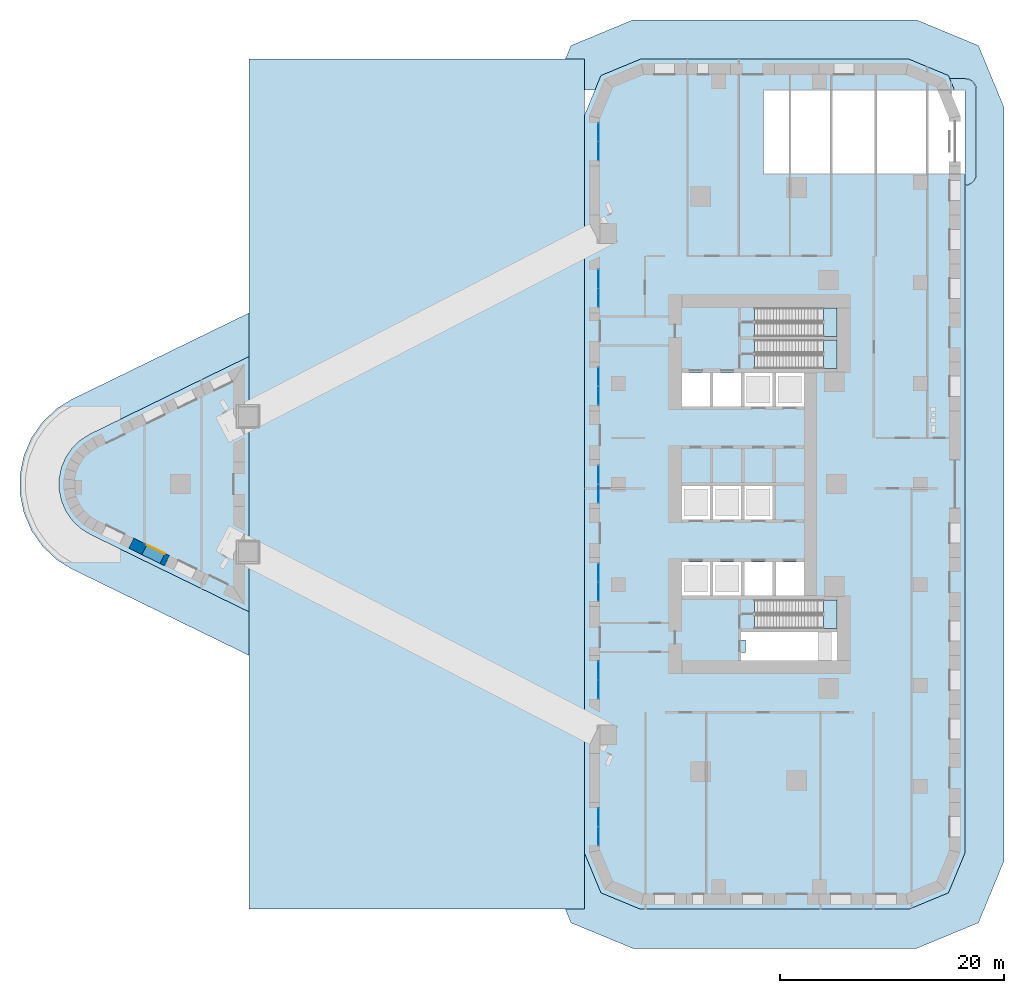
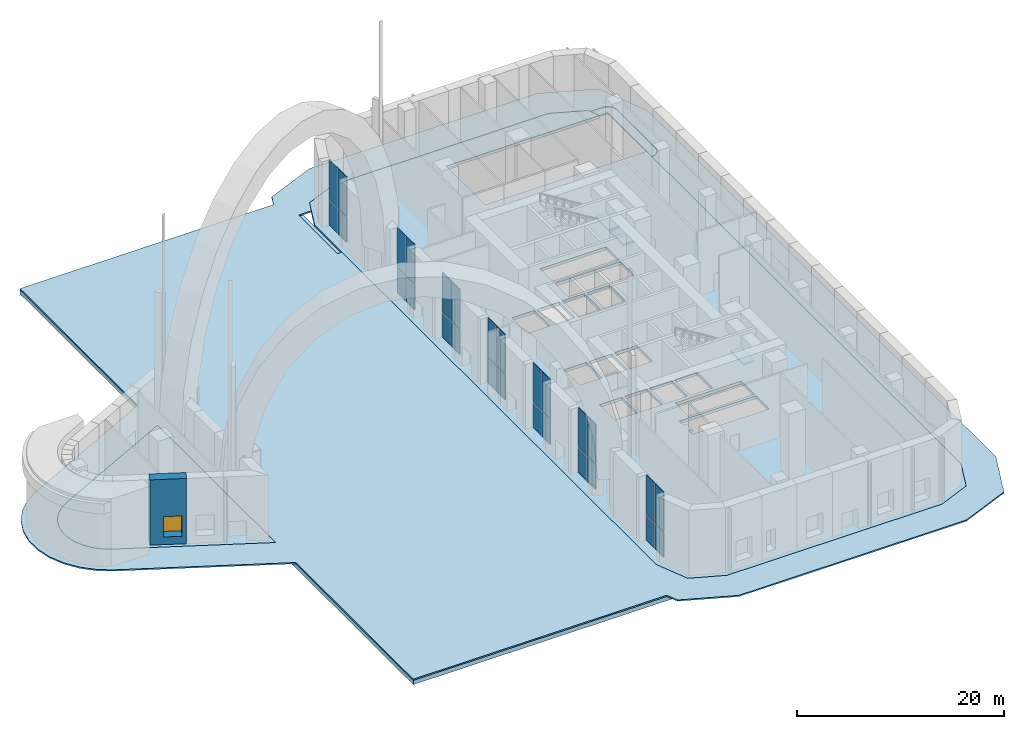
# One storey, part 8 of 22: 28 plates, 8 slabs, 1 wall, 1 window, 2 openings, 10 elements without a shape of their own.
"""IFC4 building model written with IfcOpenShell, lengths in metres."""

from ifc_helpers import new_model, si_unit, direction, frame, frame_2d, origin, origin_2d, place, context, subcontext, project, spatial, polyline, rectangle, outline, extrude, material, layer, layer_set, type_object, element, fill, aggregate, save


model = new_model("IFC4")

# Units and contexts
model_context = context("Model", 3, precision=1e-05, world=origin(), true_north=direction((0.0, 1.0)))
body_context = subcontext(model_context, "Body", "Model", "MODEL_VIEW")
ifc_project = project(units=[si_unit("LENGTHUNIT", "METRE"), si_unit("AREAUNIT", "SQUARE_METRE"), si_unit("VOLUMEUNIT", "CUBIC_METRE"), si_unit("PLANEANGLEUNIT", "RADIAN"), si_unit("MASSUNIT", "GRAM", prefix="KILO")], contexts=[model_context])

# Site, building, storey
site_placement = place(None, origin())
site = spatial("IfcSite", under=ifc_project, at=site_placement, CompositionType="ELEMENT")
building_placement = place(site_placement, origin())
building = spatial("IfcBuilding", under=site, at=building_placement, Name="Ostrand Prow Hotel Tower", CompositionType="ELEMENT")
storey_placement = place(building_placement, origin())
storey = spatial("IfcBuildingStorey", under=building, at=storey_placement, Name="L00", CompositionType="ELEMENT", Elevation=0.0)

# Curtain wall, plates
ifc_material_1 = material(Name="Insulated glass in bronze anodised frame", Category="glass")
ifc_layer_1 = layer(ifc_material_1, 0.199951171875)
ifc_layer_set_1 = layer_set([ifc_layer_1], Name="Insulated glass in bronze anodised frame")
curtain_wall_type = type_object("IfcCurtainWallType", Name="Podium storefront curtain wall, clear glass in bronze frame", PredefinedType="NOTDEFINED", material=ifc_layer_set_1)
curtain_wall_1_placement = place(storey_placement, origin())
curtain_wall_1 = element("IfcCurtainWall", 1, at=curtain_wall_1_placement, inside=storey, type_object=curtain_wall_type, Name="CW8 run CWS", PredefinedType="NOTDEFINED")
ifc_material_2 = material(Name="Low-iron clear glass", Category="glass")
ifc_layer_2 = layer(ifc_material_2, 0.031982421875)
ifc_layer_set_2 = layer_set([ifc_layer_2], Name="Low-iron clear glass")
plate_type = type_object("IfcPlateType", Name="Clear glass unit 32 mm", PredefinedType="CURTAIN_PANEL", material=ifc_layer_set_2)
plate_1_placement = place(storey_placement, frame((43.25, 31.476806640625, 0.0), z_axis=(0.0, 0.0, 1.0), x_axis=(0.0, -1.0, 0.0)))
plate_1 = element("IfcPlate", 2, at=plate_1_placement, type_object=plate_type, Name="CW8 PN-C panel 1.1", PredefinedType="CURTAIN_PANEL", context=body_context, shape_type="SweptSolid", body=[
    extrude(rectangle(XDim=1.628173828125, YDim=0.031982421875, at=origin_2d()), origin(), (0.0, 0.0, 1.0), 2.93994140625),
])
plate_2_placement = place(storey_placement, frame((43.25, 31.476806640625, 3.06005859375), z_axis=(0.0, 0.0, 1.0), x_axis=(0.0, -1.0, 0.0)))
plate_2 = element("IfcPlate", 3, at=plate_2_placement, type_object=plate_type, Name="CW8 PN-C panel 1.2", PredefinedType="CURTAIN_PANEL", context=body_context, shape_type="SweptSolid", body=[
    extrude(rectangle(XDim=1.628173828125, YDim=0.031982421875, at=origin_2d()), origin(), (0.0, 0.0, 1.0), 4.639892578125),
])
plate_3_placement = place(storey_placement, frame((43.25, 29.788818359375, 0.0), z_axis=(0.0, 0.0, 1.0), x_axis=(0.0, -1.0, 0.0)))
plate_3 = element("IfcPlate", 4, at=plate_3_placement, type_object=plate_type, Name="CW8 PN-C panel 2.1", PredefinedType="CURTAIN_PANEL", context=body_context, shape_type="SweptSolid", body=[
    extrude(rectangle(XDim=1.628173828125, YDim=0.031982421875, at=origin_2d()), origin(), (0.0, 0.0, 1.0), 2.93994140625),
])
plate_4_placement = place(storey_placement, frame((43.25, 29.788818359375, 3.06005859375), z_axis=(0.0, 0.0, 1.0), x_axis=(0.0, -1.0, 0.0)))
plate_4 = element("IfcPlate", 5, at=plate_4_placement, type_object=plate_type, Name="CW8 PN-C panel 2.2", PredefinedType="CURTAIN_PANEL", context=body_context, shape_type="SweptSolid", body=[
    extrude(rectangle(XDim=1.628173828125, YDim=0.031982421875, at=origin_2d()), origin(), (0.0, 0.0, 1.0), 4.639892578125),
])
aggregate(curtain_wall_1, [plate_1, plate_2, plate_3, plate_4])

curtain_wall_2_placement = place(storey_placement, origin())
curtain_wall_2 = element("IfcCurtainWall", 6, at=curtain_wall_2_placement, inside=storey, type_object=curtain_wall_type, Name="CW8 run CWS", PredefinedType="NOTDEFINED")
plate_5_placement = place(storey_placement, frame((43.25, 18.3486328125, 0.0), z_axis=(0.0, 0.0, 1.0), x_axis=(0.0, -1.0, 0.0)))
plate_5 = element("IfcPlate", 7, at=plate_5_placement, type_object=plate_type, Name="CW8 PN-C panel 1.1", PredefinedType="CURTAIN_PANEL", context=body_context, shape_type="SweptSolid", body=[
    extrude(rectangle(XDim=1.628173828125, YDim=0.031982421875, at=origin_2d()), origin(), (0.0, 0.0, 1.0), 2.93994140625),
])
plate_6_placement = place(storey_placement, frame((43.25, 18.3486328125, 3.06005859375), z_axis=(0.0, 0.0, 1.0), x_axis=(0.0, -1.0, 0.0)))
plate_6 = element("IfcPlate", 8, at=plate_6_placement, type_object=plate_type, Name="CW8 PN-C panel 1.2", PredefinedType="CURTAIN_PANEL", context=body_context, shape_type="SweptSolid", body=[
    extrude(rectangle(XDim=1.628173828125, YDim=0.031982421875, at=origin_2d()), origin(), (0.0, 0.0, 1.0), 4.639892578125),
])
plate_7_placement = place(storey_placement, frame((43.25, 16.660400390625, 0.0), z_axis=(0.0, 0.0, 1.0), x_axis=(0.0, -1.0, 0.0)))
plate_7 = element("IfcPlate", 9, at=plate_7_placement, type_object=plate_type, Name="CW8 PN-C panel 2.1", PredefinedType="CURTAIN_PANEL", context=body_context, shape_type="SweptSolid", body=[
    extrude(rectangle(XDim=1.628173828125, YDim=0.031982421875, at=origin_2d()), origin(), (0.0, 0.0, 1.0), 2.93994140625),
])
plate_8_placement = place(storey_placement, frame((43.25, 16.660400390625, 3.06005859375), z_axis=(0.0, 0.0, 1.0), x_axis=(0.0, -1.0, 0.0)))
plate_8 = element("IfcPlate", 10, at=plate_8_placement, type_object=plate_type, Name="CW8 PN-C panel 2.2", PredefinedType="CURTAIN_PANEL", context=body_context, shape_type="SweptSolid", body=[
    extrude(rectangle(XDim=1.628173828125, YDim=0.031982421875, at=origin_2d()), origin(), (0.0, 0.0, 1.0), 4.639892578125),
])
aggregate(curtain_wall_2, [plate_5, plate_6, plate_7, plate_8])

curtain_wall_3_placement = place(storey_placement, origin())
curtain_wall_3 = element("IfcCurtainWall", 11, at=curtain_wall_3_placement, inside=storey, type_object=curtain_wall_type, Name="CW8 run CWS", PredefinedType="NOTDEFINED")
plate_9_placement = place(storey_placement, frame((43.25, 9.59619140625, 0.0), z_axis=(0.0, 0.0, 1.0), x_axis=(0.0, -1.0, 0.0)))
plate_9 = element("IfcPlate", 12, at=plate_9_placement, type_object=plate_type, Name="CW8 PN-C panel 1.1", PredefinedType="CURTAIN_PANEL", context=body_context, shape_type="SweptSolid", body=[
    extrude(rectangle(XDim=1.628173828125, YDim=0.031982421875, at=origin_2d()), origin(), (0.0, 0.0, 1.0), 2.93994140625),
])
plate_10_placement = place(storey_placement, frame((43.25, 9.59619140625, 3.06005859375), z_axis=(0.0, 0.0, 1.0), x_axis=(0.0, -1.0, 0.0)))
plate_10 = element("IfcPlate", 13, at=plate_10_placement, type_object=plate_type, Name="CW8 PN-C panel 1.2", PredefinedType="CURTAIN_PANEL", context=body_context, shape_type="SweptSolid", body=[
    extrude(rectangle(XDim=1.628173828125, YDim=0.031982421875, at=origin_2d()), origin(), (0.0, 0.0, 1.0), 4.639892578125),
])
plate_11_placement = place(storey_placement, frame((43.25, 7.908203125, 0.0), z_axis=(0.0, 0.0, 1.0), x_axis=(0.0, -1.0, 0.0)))
plate_11 = element("IfcPlate", 14, at=plate_11_placement, type_object=plate_type, Name="CW8 PN-C panel 2.1", PredefinedType="CURTAIN_PANEL", context=body_context, shape_type="SweptSolid", body=[
    extrude(rectangle(XDim=1.628173828125, YDim=0.031982421875, at=origin_2d()), origin(), (0.0, 0.0, 1.0), 2.93994140625),
])
plate_12_placement = place(storey_placement, frame((43.25, 7.908203125, 3.06005859375), z_axis=(0.0, 0.0, 1.0), x_axis=(0.0, -1.0, 0.0)))
plate_12 = element("IfcPlate", 15, at=plate_12_placement, type_object=plate_type, Name="CW8 PN-C panel 2.2", PredefinedType="CURTAIN_PANEL", context=body_context, shape_type="SweptSolid", body=[
    extrude(rectangle(XDim=1.628173828125, YDim=0.031982421875, at=origin_2d()), origin(), (0.0, 0.0, 1.0), 4.639892578125),
])
aggregate(curtain_wall_3, [plate_9, plate_10, plate_11, plate_12])

curtain_wall_4_placement = place(storey_placement, origin())
curtain_wall_4 = element("IfcCurtainWall", 16, at=curtain_wall_4_placement, inside=storey, type_object=curtain_wall_type, Name="CW8 run CWS", PredefinedType="NOTDEFINED")
plate_13_placement = place(storey_placement, frame((43.25, 0.843994140625, 0.0), z_axis=(0.0, 0.0, 1.0), x_axis=(0.0, -1.0, 0.0)))
plate_13 = element("IfcPlate", 17, at=plate_13_placement, type_object=plate_type, Name="CW8 PN-C panel 1.1", PredefinedType="CURTAIN_PANEL", context=body_context, shape_type="SweptSolid", body=[
    extrude(rectangle(XDim=1.628173828125, YDim=0.031982421875, at=origin_2d()), origin(), (0.0, 0.0, 1.0), 2.93994140625),
])
plate_14_placement = place(storey_placement, frame((43.25, 0.843994140625, 3.06005859375), z_axis=(0.0, 0.0, 1.0), x_axis=(0.0, -1.0, 0.0)))
plate_14 = element("IfcPlate", 18, at=plate_14_placement, type_object=plate_type, Name="CW8 PN-C panel 1.2", PredefinedType="CURTAIN_PANEL", context=body_context, shape_type="SweptSolid", body=[
    extrude(rectangle(XDim=1.628173828125, YDim=0.031982421875, at=origin_2d()), origin(), (0.0, 0.0, 1.0), 4.639892578125),
])
plate_15_placement = place(storey_placement, frame((43.25, -0.843994140625, 0.0), z_axis=(0.0, 0.0, 1.0), x_axis=(0.0, -1.0, 0.0)))
plate_15 = element("IfcPlate", 19, at=plate_15_placement, type_object=plate_type, Name="CW8 PN-C panel 2.1", PredefinedType="CURTAIN_PANEL", context=body_context, shape_type="SweptSolid", body=[
    extrude(rectangle(XDim=1.628173828125, YDim=0.031982421875, at=origin_2d()), origin(), (0.0, 0.0, 1.0), 2.93994140625),
])
plate_16_placement = place(storey_placement, frame((43.25, -0.843994140625, 3.06005859375), z_axis=(0.0, 0.0, 1.0), x_axis=(0.0, -1.0, 0.0)))
plate_16 = element("IfcPlate", 20, at=plate_16_placement, type_object=plate_type, Name="CW8 PN-C panel 2.2", PredefinedType="CURTAIN_PANEL", context=body_context, shape_type="SweptSolid", body=[
    extrude(rectangle(XDim=1.628173828125, YDim=0.031982421875, at=origin_2d()), origin(), (0.0, 0.0, 1.0), 4.639892578125),
])
aggregate(curtain_wall_4, [plate_13, plate_14, plate_15, plate_16])

curtain_wall_5_placement = place(storey_placement, origin())
curtain_wall_5 = element("IfcCurtainWall", 21, at=curtain_wall_5_placement, inside=storey, type_object=curtain_wall_type, Name="CW8 run CWS", PredefinedType="NOTDEFINED")
plate_17_placement = place(storey_placement, frame((43.25, -7.908203125, 0.0), z_axis=(0.0, 0.0, 1.0), x_axis=(0.0, -1.0, 0.0)))
plate_17 = element("IfcPlate", 22, at=plate_17_placement, type_object=plate_type, Name="CW8 PN-C panel 1.1", PredefinedType="CURTAIN_PANEL", context=body_context, shape_type="SweptSolid", body=[
    extrude(rectangle(XDim=1.628173828125, YDim=0.031982421875, at=origin_2d()), origin(), (0.0, 0.0, 1.0), 2.93994140625),
])
plate_18_placement = place(storey_placement, frame((43.25, -7.908203125, 3.06005859375), z_axis=(0.0, 0.0, 1.0), x_axis=(0.0, -1.0, 0.0)))
plate_18 = element("IfcPlate", 23, at=plate_18_placement, type_object=plate_type, Name="CW8 PN-C panel 1.2", PredefinedType="CURTAIN_PANEL", context=body_context, shape_type="SweptSolid", body=[
    extrude(rectangle(XDim=1.628173828125, YDim=0.031982421875, at=origin_2d()), origin(), (0.0, 0.0, 1.0), 4.639892578125),
])
plate_19_placement = place(storey_placement, frame((43.25, -9.59619140625, 0.0), z_axis=(0.0, 0.0, 1.0), x_axis=(0.0, -1.0, 0.0)))
plate_19 = element("IfcPlate", 24, at=plate_19_placement, type_object=plate_type, Name="CW8 PN-C panel 2.1", PredefinedType="CURTAIN_PANEL", context=body_context, shape_type="SweptSolid", body=[
    extrude(rectangle(XDim=1.628173828125, YDim=0.031982421875, at=origin_2d()), origin(), (0.0, 0.0, 1.0), 2.93994140625),
])
plate_20_placement = place(storey_placement, frame((43.25, -9.59619140625, 3.06005859375), z_axis=(0.0, 0.0, 1.0), x_axis=(0.0, -1.0, 0.0)))
plate_20 = element("IfcPlate", 25, at=plate_20_placement, type_object=plate_type, Name="CW8 PN-C panel 2.2", PredefinedType="CURTAIN_PANEL", context=body_context, shape_type="SweptSolid", body=[
    extrude(rectangle(XDim=1.628173828125, YDim=0.031982421875, at=origin_2d()), origin(), (0.0, 0.0, 1.0), 4.639892578125),
])
aggregate(curtain_wall_5, [plate_17, plate_18, plate_19, plate_20])

curtain_wall_6_placement = place(storey_placement, origin())
curtain_wall_6 = element("IfcCurtainWall", 26, at=curtain_wall_6_placement, inside=storey, type_object=curtain_wall_type, Name="CW8 run CWS", PredefinedType="NOTDEFINED")
plate_21_placement = place(storey_placement, frame((43.25, -16.660400390625, 0.0), z_axis=(0.0, 0.0, 1.0), x_axis=(0.0, -1.0, 0.0)))
plate_21 = element("IfcPlate", 27, at=plate_21_placement, type_object=plate_type, Name="CW8 PN-C panel 1.1", PredefinedType="CURTAIN_PANEL", context=body_context, shape_type="SweptSolid", body=[
    extrude(rectangle(XDim=1.628173828125, YDim=0.031982421875, at=origin_2d()), origin(), (0.0, 0.0, 1.0), 2.93994140625),
])
plate_22_placement = place(storey_placement, frame((43.25, -16.660400390625, 3.06005859375), z_axis=(0.0, 0.0, 1.0), x_axis=(0.0, -1.0, 0.0)))
plate_22 = element("IfcPlate", 28, at=plate_22_placement, type_object=plate_type, Name="CW8 PN-C panel 1.2", PredefinedType="CURTAIN_PANEL", context=body_context, shape_type="SweptSolid", body=[
    extrude(rectangle(XDim=1.628173828125, YDim=0.031982421875, at=origin_2d()), origin(), (0.0, 0.0, 1.0), 4.639892578125),
])
plate_23_placement = place(storey_placement, frame((43.25, -18.3486328125, 0.0), z_axis=(0.0, 0.0, 1.0), x_axis=(0.0, -1.0, 0.0)))
plate_23 = element("IfcPlate", 29, at=plate_23_placement, type_object=plate_type, Name="CW8 PN-C panel 2.1", PredefinedType="CURTAIN_PANEL", context=body_context, shape_type="SweptSolid", body=[
    extrude(rectangle(XDim=1.628173828125, YDim=0.031982421875, at=origin_2d()), origin(), (0.0, 0.0, 1.0), 2.93994140625),
])
plate_24_placement = place(storey_placement, frame((43.25, -18.3486328125, 3.06005859375), z_axis=(0.0, 0.0, 1.0), x_axis=(0.0, -1.0, 0.0)))
plate_24 = element("IfcPlate", 30, at=plate_24_placement, type_object=plate_type, Name="CW8 PN-C panel 2.2", PredefinedType="CURTAIN_PANEL", context=body_context, shape_type="SweptSolid", body=[
    extrude(rectangle(XDim=1.628173828125, YDim=0.031982421875, at=origin_2d()), origin(), (0.0, 0.0, 1.0), 4.639892578125),
])
aggregate(curtain_wall_6, [plate_21, plate_22, plate_23, plate_24])

curtain_wall_7_placement = place(storey_placement, origin())
curtain_wall_7 = element("IfcCurtainWall", 31, at=curtain_wall_7_placement, inside=storey, type_object=curtain_wall_type, Name="CW8 run CWS", PredefinedType="NOTDEFINED")
plate_25_placement = place(storey_placement, frame((43.25, -29.788818359375, 0.0), z_axis=(0.0, 0.0, 1.0), x_axis=(0.0, -1.0, 0.0)))
plate_25 = element("IfcPlate", 32, at=plate_25_placement, type_object=plate_type, Name="CW8 PN-C panel 1.1", PredefinedType="CURTAIN_PANEL", context=body_context, shape_type="SweptSolid", body=[
    extrude(rectangle(XDim=1.628173828125, YDim=0.031982421875, at=origin_2d()), origin(), (0.0, 0.0, 1.0), 2.93994140625),
])
plate_26_placement = place(storey_placement, frame((43.25, -29.788818359375, 3.06005859375), z_axis=(0.0, 0.0, 1.0), x_axis=(0.0, -1.0, 0.0)))
plate_26 = element("IfcPlate", 33, at=plate_26_placement, type_object=plate_type, Name="CW8 PN-C panel 1.2", PredefinedType="CURTAIN_PANEL", context=body_context, shape_type="SweptSolid", body=[
    extrude(rectangle(XDim=1.628173828125, YDim=0.031982421875, at=origin_2d()), origin(), (0.0, 0.0, 1.0), 4.639892578125),
])
plate_27_placement = place(storey_placement, frame((43.25, -31.476806640625, 0.0), z_axis=(0.0, 0.0, 1.0), x_axis=(0.0, -1.0, 0.0)))
plate_27 = element("IfcPlate", 34, at=plate_27_placement, type_object=plate_type, Name="CW8 PN-C panel 2.1", PredefinedType="CURTAIN_PANEL", context=body_context, shape_type="SweptSolid", body=[
    extrude(rectangle(XDim=1.628173828125, YDim=0.031982421875, at=origin_2d()), origin(), (0.0, 0.0, 1.0), 2.93994140625),
])
plate_28_placement = place(storey_placement, frame((43.25, -31.476806640625, 3.06005859375), z_axis=(0.0, 0.0, 1.0), x_axis=(0.0, -1.0, 0.0)))
plate_28 = element("IfcPlate", 35, at=plate_28_placement, type_object=plate_type, Name="CW8 PN-C panel 2.2", PredefinedType="CURTAIN_PANEL", context=body_context, shape_type="SweptSolid", body=[
    extrude(rectangle(XDim=1.628173828125, YDim=0.031982421875, at=origin_2d()), origin(), (0.0, 0.0, 1.0), 4.639892578125),
])
aggregate(curtain_wall_7, [plate_25, plate_26, plate_27, plate_28])

# Slabs
ifc_material_3 = material(Name="Granite paving", Category="masonry")
ifc_layer_3 = layer(ifc_material_3, 0.14990234375)
ifc_layer_set_3 = layer_set([ifc_layer_3], Name="Granite paving")
slab_type_1 = type_object("IfcSlabType", Name="Granite paving 150 mm", PredefinedType="USERDEFINED", material=ifc_layer_set_3)
slab_1_placement = place(storey_placement, frame((0.0, 0.0, -0.14990234375)))
element("IfcSlab", 36, at=slab_1_placement, inside=storey, type_object=slab_type_1, Name="Plaza paving 1", ObjectType="PAVING", PredefinedType="USERDEFINED", context=body_context, shape_type="SweptSolid", body=[
    extrude(outline(polyline([(-7.443115234375, -4.14208984375), (-6.45458984375, -5.55859375), (-5.200439453125, -6.746337890625), (-3.884521484375, -7.5625), (12.0, -15.30615234375), (12.0, -38.0), (40.28271484375, -38.0), (40.78564453125, -39.21435546875), (46.3037109375, -41.5), (71.6962890625, -41.5), (77.21435546875, -39.21435546875), (79.5, -33.6962890625), (79.5, 33.6962890625), (77.21435546875, 39.21435546875), (71.6962890625, 41.5), (46.3037109375, 41.5), (40.78564453125, 39.21435546875), (40.28271484375, 38.0), (12.0, 38.0), (12.0, 15.30615234375), (-3.884521484375, 7.5625), (-5.200439453125, 6.746337890625), (-6.45458984375, 5.55859375), (-7.443115234375, 4.14208984375), (-8.125732421875, 2.555419921875), (-8.47412109375, 0.863525390625), (-8.47412109375, -0.863525390625), (-8.125732421875, -2.555419921875), (-7.443115234375, -4.14208984375)]), holes=[polyline([(74.641357421875, 36.280029296875), (76.0, 36.280029296875), (76.00146484375, 36.280029296875), (76.099609375, 36.275146484375), (76.102294921875, 36.27490234375), (76.199462890625, 36.260498046875), (76.202392578125, 36.260009765625), (76.297607421875, 36.236083984375), (76.30029296875, 36.235107421875), (76.392822265625, 36.2021484375), (76.3955078125, 36.200927734375), (76.484130859375, 36.158935546875), (76.48681640625, 36.15771484375), (76.571044921875, 36.107177734375), (76.573486328125, 36.105712890625), (76.65234375, 36.047119140625), (76.654541015625, 36.045166015625), (76.727294921875, 35.979248046875), (76.729248046875, 35.977294921875), (76.795166015625, 35.904541015625), (76.797119140625, 35.90234375), (76.855712890625, 35.823486328125), (76.857177734375, 35.821044921875), (76.90771484375, 35.73681640625), (76.908935546875, 35.734130859375), (76.950927734375, 35.6455078125), (76.9521484375, 35.642822265625), (76.985107421875, 35.55029296875), (76.986083984375, 35.547607421875), (77.010009765625, 35.452392578125), (77.010498046875, 35.449462890625), (77.02490234375, 35.352294921875), (77.025146484375, 35.349609375), (77.030029296875, 35.25146484375), (77.030029296875, 35.25), (77.030029296875, 27.75), (77.030029296875, 27.74853515625), (77.025146484375, 27.650390625), (77.02490234375, 27.647705078125), (77.010498046875, 27.550537109375), (77.010009765625, 27.547607421875), (76.986083984375, 27.452392578125), (76.985107421875, 27.44970703125), (76.9521484375, 27.357177734375), (76.950927734375, 27.3544921875), (76.908935546875, 27.265869140625), (76.90771484375, 27.26318359375), (76.857177734375, 27.178955078125), (76.855712890625, 27.176513671875), (76.797119140625, 27.09765625), (76.795166015625, 27.095458984375), (76.729248046875, 27.022705078125), (76.727294921875, 27.020751953125), (76.654541015625, 26.954833984375), (76.65234375, 26.952880859375), (76.573486328125, 26.894287109375), (76.571044921875, 26.892822265625), (76.48681640625, 26.84228515625), (76.484130859375, 26.841064453125), (76.3955078125, 26.799072265625), (76.392822265625, 26.7978515625), (76.30029296875, 26.764892578125), (76.297607421875, 26.763916015625), (76.202392578125, 26.739990234375), (76.199462890625, 26.739501953125), (76.102294921875, 26.72509765625), (76.099609375, 26.724853515625), (76.0, 26.719970703125), (76.0, -33.0), (74.535400390625, -36.535400390625), (71.0, -38.0), (47.0, -38.0), (43.464599609375, -36.535400390625), (42.0, -33.0), (42.0, 27.75), (41.5, 27.75), (41.5, 35.25), (42.931884765625, 35.25), (43.464599609375, 36.535400390625), (47.0, 38.0), (71.0, 38.0), (74.535400390625, 36.535400390625), (74.641357421875, 36.280029296875)]), polyline([(-3.052490234375, 3.9599609375), (-2.19091796875, 4.494384765625), (12.0, 11.41259765625), (12.0, -11.41259765625), (-2.19091796875, -4.494384765625), (-3.052490234375, -3.9599609375), (-3.788818359375, -3.2626953125), (-4.368896484375, -2.431396484375), (-4.769775390625, -1.5), (-4.97412109375, -0.5068359375), (-4.97412109375, 0.5068359375), (-4.769775390625, 1.5), (-4.368896484375, 2.431396484375), (-3.788818359375, 3.2626953125), (-3.052490234375, 3.9599609375)])]), origin(), (0.0, 0.0, 1.0), 0.14990234375),
])
ifc_material_4 = material(Name="Concrete C40/50", Category="concrete")
ifc_layer_4 = layer(ifc_material_4, 0.35009765625)
ifc_layer_set_4 = layer_set([ifc_layer_4], Name="Concrete C40/50")
slab_type_2 = type_object("IfcSlabType", Name="PT flat plate 350 C40/50", PredefinedType="FLOOR", material=ifc_layer_set_4)
slab_2_placement = place(storey_placement, frame((0.0, 0.0, -0.35009765625)))
element("IfcSlab", 37, at=slab_2_placement, inside=storey, type_object=slab_type_2, Name="Floor slab L00-1", PredefinedType="FLOOR", context=body_context, shape_type="SweptSolid", body=[
    extrude(outline(polyline([(-2.19091796875, -4.494384765625), (-3.052490234375, -3.9599609375), (-3.788818359375, -3.2626953125), (-4.368896484375, -2.431396484375), (-4.769775390625, -1.5), (-4.97412109375, -0.5068359375), (-4.97412109375, 0.5068359375), (-4.769775390625, 1.5), (-4.368896484375, 2.431396484375), (-3.788818359375, 3.2626953125), (-3.052490234375, 3.9599609375), (-2.19091796875, 4.494384765625), (12.0, 11.41259765625), (12.0, -11.41259765625), (-2.19091796875, -4.494384765625)])), origin(), (0.0, 0.0, 1.0), 0.35009765625),
])

# Slab, opening
slab_3_placement = place(storey_placement, frame((0.0, 0.0, -0.35009765625)))
slab_3 = element("IfcSlab", 38, at=slab_3_placement, inside=storey, type_object=slab_type_2, Name="Floor slab L00-2", PredefinedType="FLOOR", context=body_context, shape_type="SweptSolid", body=[
    extrude(outline(polyline([(43.464599609375, -36.535400390625), (42.0, -33.0), (42.0, 33.0), (43.464599609375, 36.535400390625), (47.0, 38.0), (71.0, 38.0), (74.535400390625, 36.535400390625), (75.068115234375, 35.25), (58.0, 35.25), (58.0, 27.75), (76.0, 27.75), (76.0, -33.0), (74.535400390625, -36.535400390625), (71.0, -38.0), (47.0, -38.0), (43.464599609375, -36.535400390625)]), holes=[polyline([(50.699951171875, 6.949951171875), (53.199951171875, 6.949951171875), (53.199951171875, 9.949951171875), (50.699951171875, 9.949951171875), (50.699951171875, 6.949951171875)]), polyline([(53.5, 6.949951171875), (56.0, 6.949951171875), (56.0, 9.949951171875), (53.5, 9.949951171875), (53.5, 6.949951171875)]), polyline([(56.300048828125, 6.949951171875), (58.800048828125, 6.949951171875), (58.800048828125, 9.949951171875), (56.300048828125, 9.949951171875), (56.300048828125, 6.949951171875)]), polyline([(59.10009765625, 6.949951171875), (61.60009765625, 6.949951171875), (61.60009765625, 9.949951171875), (59.10009765625, 9.949951171875), (59.10009765625, 6.949951171875)]), polyline([(50.699951171875, -3.14990234375), (53.199951171875, -3.14990234375), (53.199951171875, -0.14990234375), (50.699951171875, -0.14990234375), (50.699951171875, -3.14990234375)]), polyline([(53.5, -3.14990234375), (56.0, -3.14990234375), (56.0, -0.14990234375), (53.5, -0.14990234375), (53.5, -3.14990234375)]), polyline([(56.300048828125, -3.14990234375), (58.800048828125, -3.14990234375), (58.800048828125, -0.14990234375), (56.300048828125, -0.14990234375), (56.300048828125, -3.14990234375)]), polyline([(50.699951171875, -9.949951171875), (53.199951171875, -9.949951171875), (53.199951171875, -6.949951171875), (50.699951171875, -6.949951171875), (50.699951171875, -9.949951171875)]), polyline([(53.5, -9.949951171875), (56.0, -9.949951171875), (56.0, -6.949951171875), (53.5, -6.949951171875), (53.5, -9.949951171875)]), polyline([(56.300048828125, -9.949951171875), (58.800048828125, -9.949951171875), (58.800048828125, -6.949951171875), (56.300048828125, -6.949951171875), (56.300048828125, -9.949951171875)]), polyline([(59.10009765625, -9.949951171875), (61.60009765625, -9.949951171875), (61.60009765625, -6.949951171875), (59.10009765625, -6.949951171875), (59.10009765625, -9.949951171875)]), polyline([(57.200927734375, 10.35107421875), (57.200927734375, 12.89892578125), (64.55908203125, 12.89892578125), (64.55908203125, 10.35107421875), (57.200927734375, 10.35107421875)]), polyline([(57.200927734375, 13.200927734375), (57.200927734375, 15.7490234375), (64.55908203125, 15.7490234375), (64.55908203125, 13.200927734375), (57.200927734375, 13.200927734375)]), polyline([(57.200927734375, -12.89892578125), (57.200927734375, -10.35107421875), (64.55908203125, -10.35107421875), (64.55908203125, -12.89892578125), (57.200927734375, -12.89892578125)]), polyline([(56.0, -13.199951171875), (64.56005859375, -13.199951171875), (64.56005859375, -15.75), (56.0, -15.75), (56.0, -15.050048828125), (56.39990234375, -15.050048828125), (56.39990234375, -13.949951171875), (56.0, -13.949951171875), (56.0, -13.199951171875)])]), origin(), (0.0, 0.0, 1.0), 0.35009765625),
])
opening_1_placement = place(slab_3_placement, origin())
element("IfcOpeningElement", 39, at=opening_1_placement, cuts=slab_3, Name="Shaft opening 1", PredefinedType="OPENING", context=body_context, shape_type="SweptSolid", body=[
    extrude(outline(polyline([(56.0, -13.199951171875), (64.56005859375, -13.199951171875), (64.56005859375, -15.75), (56.0, -15.75), (56.0, -15.050048828125), (56.39990234375, -15.050048828125), (56.39990234375, -13.949951171875), (56.0, -13.949951171875), (56.0, -13.199951171875)])), origin(), (0.0, 0.0, 1.0), 0.35009765625),
])

# Slabs
ifc_material_5 = material(Name="Concrete C40/50", Category="concrete")
ifc_layer_5 = layer(ifc_material_5, 0.5)
ifc_layer_set_5 = layer_set([ifc_layer_5], Name="Concrete C40/50")
slab_type_3 = type_object("IfcSlabType", Name="PT flat plate 500 C40/50 deck", PredefinedType="FLOOR", material=ifc_layer_set_5)
slab_4_placement = place(storey_placement, frame((0.0, 0.0, -0.64990234375)))
element("IfcSlab", 40, at=slab_4_placement, inside=storey, type_object=slab_type_3, Name="Plaza structural deck", PredefinedType="FLOOR", context=body_context, shape_type="SweptSolid", body=[
    extrude(outline(polyline([(42.0, -38.0), (42.0, 38.0), (12.0, 38.0), (12.0, -38.0), (42.0, -38.0)])), origin(), (0.0, 0.0, 1.0), 0.5),
])
ifc_material_6 = material(Name="Granite paving", Category="masonry")
ifc_layer_6 = layer(ifc_material_6, 0.14990234375)
ifc_layer_set_6 = layer_set([ifc_layer_6], Name="Granite paving")
slab_type_4 = type_object("IfcSlabType", Name="Ramp landing granite 150 mm", PredefinedType="LANDING", material=ifc_layer_set_6)
slab_5_placement = place(storey_placement, frame((0.0, 0.0, -0.14990234375)))
element("IfcSlab", 41, at=slab_5_placement, inside=storey, type_object=slab_type_4, Name="Ramp landing 1", PredefinedType="LANDING", context=body_context, shape_type="SweptSolid", body=[
    extrude(outline(polyline([(74.65380859375, 36.25), (75.068115234375, 35.25), (76.0, 35.25), (76.0, 33.0), (76.0, 27.75), (76.0, 26.75), (76.097900390625, 26.7548828125), (76.195068359375, 26.769287109375), (76.290283203125, 26.793212890625), (76.3828125, 26.826171875), (76.471435546875, 26.8681640625), (76.5556640625, 26.91845703125), (76.634521484375, 26.97705078125), (76.70703125, 27.04296875), (76.77294921875, 27.115478515625), (76.83154296875, 27.1943359375), (76.8818359375, 27.278564453125), (76.923828125, 27.3671875), (76.956787109375, 27.459716796875), (76.980712890625, 27.554931640625), (76.9951171875, 27.652099609375), (77.0, 27.75), (77.0, 35.25), (76.9951171875, 35.347900390625), (76.980712890625, 35.445068359375), (76.956787109375, 35.540283203125), (76.923828125, 35.6328125), (76.8818359375, 35.721435546875), (76.83154296875, 35.8056640625), (76.77294921875, 35.884521484375), (76.70703125, 35.95703125), (76.634521484375, 36.02294921875), (76.5556640625, 36.08154296875), (76.471435546875, 36.1318359375), (76.3828125, 36.173828125), (76.290283203125, 36.206787109375), (76.195068359375, 36.230712890625), (76.097900390625, 36.2451171875), (76.0, 36.25), (74.65380859375, 36.25)])), origin(), (0.0, 0.0, 1.0), 0.14990234375),
])

# Stair, slab
ifc_material_7 = material(Name="Concrete C40/50", Category="concrete")
stair_type = type_object("IfcStairType", Name="Exit stair 1200 lower zone", PredefinedType="HALF_TURN_STAIR", material=ifc_material_7)
stair_1_placement = place(storey_placement, origin())
stair_1 = element("IfcStair", 42, at=stair_1_placement, inside=storey, type_object=stair_type, Name="L00 ST1A", PredefinedType="HALF_TURN_STAIR")
ifc_material_8 = material(Name="Concrete C40/50", Category="concrete")
ifc_layer_7 = layer(ifc_material_8, 0.199951171875)
ifc_layer_set_7 = layer_set([ifc_layer_7], Name="Concrete C40/50")
slab_type_5 = type_object("IfcSlabType", Name="Stair landing 200 concrete", PredefinedType="LANDING", material=ifc_layer_set_7)
slab_6_placement = place(storey_placement, frame((0.0, 0.0, 3.800048828125)))
slab_6 = element("IfcSlab", 43, at=slab_6_placement, type_object=slab_type_5, Name="ST1A landing 1", PredefinedType="LANDING", context=body_context, shape_type="SweptSolid", body=[
    extrude(outline(polyline([(63.360107421875, 10.35009765625), (64.56005859375, 10.35009765625), (64.56005859375, 12.89990234375), (63.360107421875, 12.89990234375), (63.360107421875, 10.35009765625)])), origin(), (0.0, 0.0, 1.0), 0.199951171875),
])
aggregate(stair_1, [slab_6])

stair_2_placement = place(storey_placement, origin())
stair_2 = element("IfcStair", 44, at=stair_2_placement, inside=storey, type_object=stair_type, Name="L00 ST3A", PredefinedType="HALF_TURN_STAIR")
slab_7_placement = place(storey_placement, frame((0.0, 0.0, 3.800048828125)))
slab_7 = element("IfcSlab", 45, at=slab_7_placement, type_object=slab_type_5, Name="ST3A landing 1", PredefinedType="LANDING", context=body_context, shape_type="SweptSolid", body=[
    extrude(outline(polyline([(63.360107421875, 13.199951171875), (64.56005859375, 13.199951171875), (64.56005859375, 15.75), (63.360107421875, 15.75), (63.360107421875, 13.199951171875)])), origin(), (0.0, 0.0, 1.0), 0.199951171875),
])
aggregate(stair_2, [slab_7])

stair_3_placement = place(storey_placement, origin())
stair_3 = element("IfcStair", 46, at=stair_3_placement, inside=storey, type_object=stair_type, Name="L00 ST2A", PredefinedType="HALF_TURN_STAIR")
slab_8_placement = place(storey_placement, frame((0.0, 0.0, 3.800048828125)))
slab_8 = element("IfcSlab", 47, at=slab_8_placement, type_object=slab_type_5, Name="ST2A landing 1", PredefinedType="LANDING", context=body_context, shape_type="SweptSolid", body=[
    extrude(outline(polyline([(63.360107421875, -12.89990234375), (64.56005859375, -12.89990234375), (64.56005859375, -10.35009765625), (63.360107421875, -10.35009765625), (63.360107421875, -12.89990234375)])), origin(), (0.0, 0.0, 1.0), 0.199951171875),
])
aggregate(stair_3, [slab_8])

# Wall, opening, window
ifc_material_9 = material(Name="Precast concrete C40/50", Category="concrete")
ifc_layer_8 = layer(ifc_material_9, 1.0)
ifc_layer_set_8 = layer_set([ifc_layer_8], Name="Precast concrete C40/50")
wall_type = type_object("IfcWallType", Name="Portal pier wall 1000 mm", PredefinedType="NOTDEFINED", material=ifc_layer_set_8)
wall_placement = place(storey_placement, frame((1.45849609375, -5.272216796875, 0.0), z_axis=(0.0, 0.0, 1.0), x_axis=(0.898848496883, -0.438259488946, 0.0)))
wall = element("IfcWall", 48, at=wall_placement, inside=storey, type_object=wall_type, Name="Portal pier wall L00-PP021", PredefinedType="NOTDEFINED", context=body_context, shape_type="SweptSolid", body=[
    extrude(outline(polyline([(0.0, -0.5), (3.5751953125, -0.5), (3.5751953125, 0.5), (0.0, 0.5), (0.0, -0.5)])), origin(), (0.0, 0.0, 1.0), 7.699951171875),
])
opening_2_placement = place(wall_placement, frame((1.32763671875, 0.0, 0.89990234375)))
opening_2 = element("IfcOpeningElement", 49, at=opening_2_placement, cuts=wall, Name="Opening WP2", PredefinedType="OPENING", context=body_context, shape_type="SweptSolid", body=[
    extrude(rectangle(XDim=1.800048828125, YDim=2.39990234375, at=frame_2d((0.89990234375, 1.199951171875))), frame((0.0, 0.510009765625, 0.0), z_axis=(0.0, -1.0, 0.0), x_axis=(1.0, 0.0, 0.0)), (0.0, 0.0, 1.0), 1.02001953125),
])
ifc_material_10 = material(Name="Insulated glass in bronze anodised frame", Category="glass")
window_type = type_object("IfcWindowType", Name="Portal window 1800x2400", PartitioningType="SINGLE_PANEL", PredefinedType="WINDOW", material=ifc_material_10)
window_placement = place(opening_2_placement, origin())
window = element("IfcWindow", 50, at=window_placement, inside=storey, type_object=window_type, Name="Portal window L00-PP021", OverallHeight=2.39990234375, OverallWidth=1.800048828125, PartitioningType="SINGLE_PANEL", PredefinedType="WINDOW", context=body_context, shape_type="SweptSolid", body=[
    extrude(rectangle(XDim=1.800048828125, YDim=2.39990234375, at=frame_2d((0.89990234375, 1.199951171875))), frame((0.0, 0.5, 0.0), z_axis=(0.0, -1.0, 0.0), x_axis=(1.0, 0.0, 0.0)), (0.0, 0.0, 1.0), 0.06005859375),
])
fill(opening_2, window)

save(model, "model.ifc")
